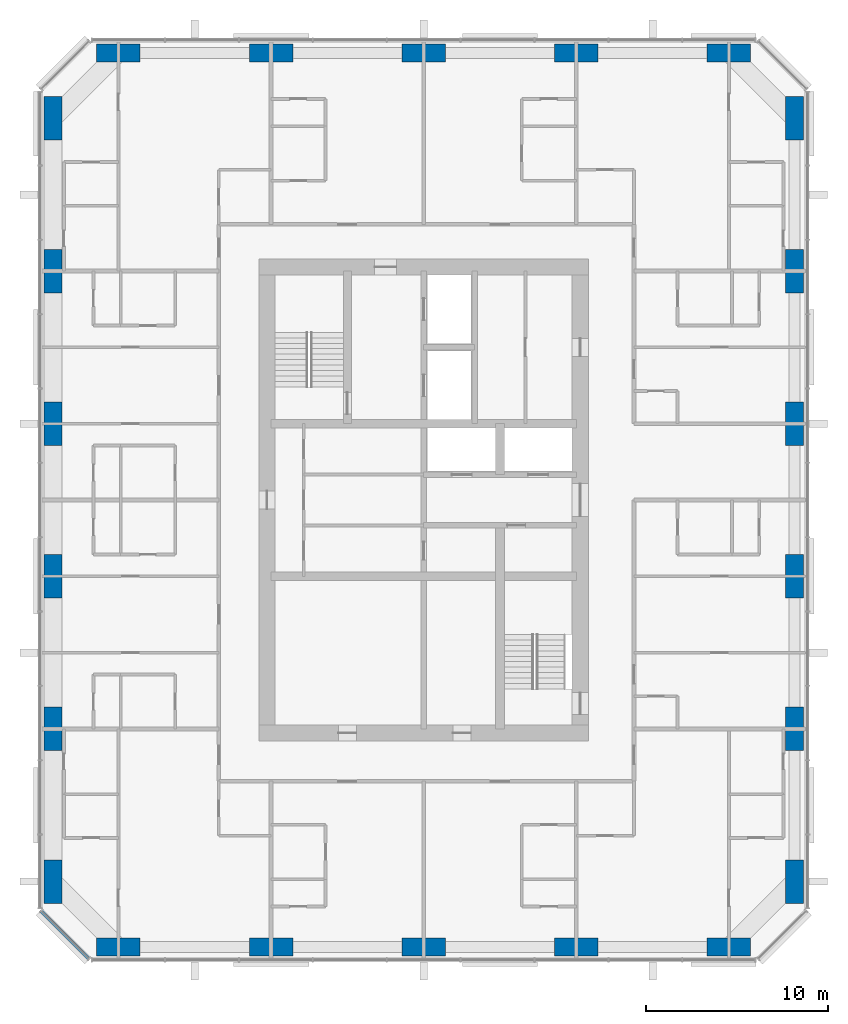
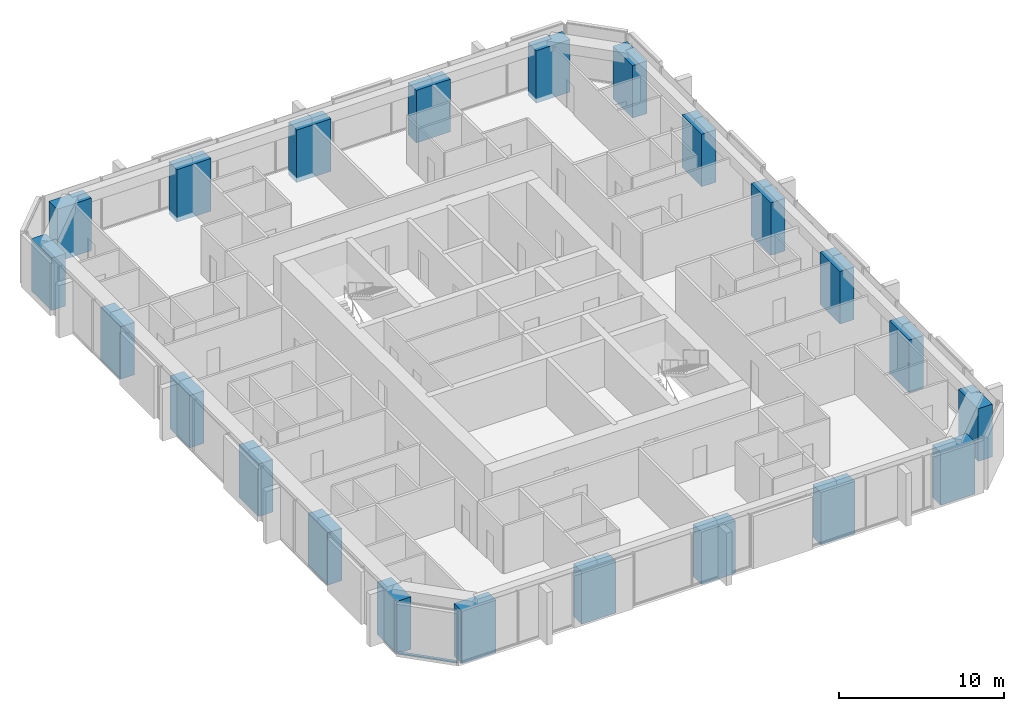
# One storey, part 1 of 12: 22 columns, 1 member, 1 element without a shape of its own.
"""IFC4 building model written with IfcOpenShell, lengths in metres."""

from ifc_helpers import new_model, si_unit, direction, frame, origin, origin_2d, place, context, subcontext, project, spatial, rectangle, extrude, material, material_profile, profile_set, type_object, element, aggregate, save


model = new_model("IFC4")

# Units and contexts
model_context = context("Model", 3, precision=1e-05, world=origin(), true_north=direction((0.0, 1.0)))
body_context = subcontext(model_context, "Body", "Model", "MODEL_VIEW")
ifc_project = project(units=[si_unit("LENGTHUNIT", "METRE"), si_unit("AREAUNIT", "SQUARE_METRE"), si_unit("VOLUMEUNIT", "CUBIC_METRE"), si_unit("PLANEANGLEUNIT", "RADIAN"), si_unit("MASSUNIT", "GRAM", prefix="KILO")], contexts=[model_context])

# Site, building, storey
site_placement = place(None, origin())
site = spatial("IfcSite", under=ifc_project, at=site_placement, CompositionType="ELEMENT")
building_placement = place(site_placement, origin())
building = spatial("IfcBuilding", under=site, at=building_placement, Name="Dunama Terrace Hotel", CompositionType="ELEMENT")
storey_placement = place(building_placement, frame((0.0, 0.0, 237.300048828125)))
storey = spatial("IfcBuildingStorey", under=building, at=storey_placement, Name="L61", CompositionType="ELEMENT", Elevation=237.300048828125)

# Columns
ifc_material_1 = material(Name="Concrete C50/60", Category="concrete")
ifc_material_profile_1 = material_profile(ifc_material_1, rectangle(XDim=1.0, YDim=2.39990234375, at=origin_2d()), Name="RC 1000x2400")
ifc_profile_set_1 = profile_set([ifc_material_profile_1], Name="Concrete C50/60")
column_type_1 = type_object("IfcColumnType", Name="Column RC 1000x2400", PredefinedType="COLUMN", material=ifc_profile_set_1)
for number, where, z_axis, x_axis, name in (
    (1, (13.199951171875, 8.39990234375, -0.35009765625), (0.0, 0.0, 1.0), (1.0, 0.0, 0.0), "Column L61 +13.2/+8.4"),
    (2, (13.199951171875, 16.800048828125, -0.35009765625), (0.0, 0.0, 1.0), (1.0, 0.0, 0.0), "Column L61 +13.2/+16.8"),
    (3, (13.199951171875, 25.199951171875, -0.35009765625), (0.0, 0.0, 1.0), (1.0, 0.0, 0.0), "Column L61 +13.2/+25.2"),
    (4, (13.199951171875, 33.60009765625, -0.35009765625), (0.0, 0.0, 1.0), (1.0, 0.0, 0.0), "Column L61 +13.2/+33.6"),
    (5, (13.199951171875, 42.0, -0.35009765625), (0.0, 0.0, 1.0), (1.0, 0.0, 0.0), "Column L61 +13.2/+42.0"),
    (6, (13.199951171875, 50.39990234375, -0.35009765625), (0.0, 0.0, 1.0), (1.0, 0.0, 0.0), "Column L61 +13.2/+50.4"),
    (7, (54.0, 8.39990234375, -0.35009765625), (0.0, 0.0, 1.0), (1.0, 0.0, 0.0), "Column L61 +54.0/+8.4"),
    (8, (54.0, 16.800048828125, -0.35009765625), (0.0, 0.0, 1.0), (1.0, 0.0, 0.0), "Column L61 +54.0/+16.8"),
    (9, (54.0, 25.199951171875, -0.35009765625), (0.0, 0.0, 1.0), (1.0, 0.0, 0.0), "Column L61 +54.0/+25.2"),
    (10, (54.0, 33.60009765625, -0.35009765625), (0.0, 0.0, 1.0), (1.0, 0.0, 0.0), "Column L61 +54.0/+33.6"),
    (11, (54.0, 42.0, -0.35009765625), (0.0, 0.0, 1.0), (1.0, 0.0, 0.0), "Column L61 +54.0/+42.0"),
    (12, (54.0, 50.39990234375, -0.35009765625), (0.0, 0.0, 1.0), (1.0, 0.0, 0.0), "Column L61 +54.0/+50.4"),
):
    element("IfcColumn", number, at=place(storey_placement, frame(where, z_axis=z_axis, x_axis=x_axis)), inside=storey, type_object=column_type_1, Name=name, PredefinedType="COLUMN", context=body_context, shape_type="SweptSolid", body=[
        extrude(rectangle(XDim=1.0, YDim=2.39990234375, at=origin_2d()), origin(), (0.0, 0.0, 1.0), 3.900146484375),
    ])
ifc_material_2 = material(Name="Concrete C50/60", Category="concrete")
ifc_material_profile_2 = material_profile(ifc_material_2, rectangle(XDim=2.39990234375, YDim=1.0, at=origin_2d()), Name="RC 2400x1000")
ifc_profile_set_2 = profile_set([ifc_material_profile_2], Name="Concrete C50/60")
column_type_2 = type_object("IfcColumnType", Name="Column RC 2400x1000", PredefinedType="COLUMN", material=ifc_profile_set_2)
for number, where, z_axis, x_axis, name in (
    (13, (16.800048828125, 4.800048828125, -0.35009765625), (0.0, 0.0, 1.0), (1.0, 0.0, 0.0), "Column L61 +16.8/+4.8"),
    (14, (16.800048828125, 54.0, -0.35009765625), (0.0, 0.0, 1.0), (1.0, 0.0, 0.0), "Column L61 +16.8/+54.0"),
    (15, (25.199951171875, 4.800048828125, -0.35009765625), (0.0, 0.0, 1.0), (1.0, 0.0, 0.0), "Column L61 +25.2/+4.8"),
    (16, (25.199951171875, 54.0, -0.35009765625), (0.0, 0.0, 1.0), (1.0, 0.0, 0.0), "Column L61 +25.2/+54.0"),
    (17, (33.60009765625, 4.800048828125, -0.35009765625), (0.0, 0.0, 1.0), (1.0, 0.0, 0.0), "Column L61 +33.6/+4.8"),
    (18, (33.60009765625, 54.0, -0.35009765625), (0.0, 0.0, 1.0), (1.0, 0.0, 0.0), "Column L61 +33.6/+54.0"),
    (19, (42.0, 4.800048828125, -0.35009765625), (0.0, 0.0, 1.0), (1.0, 0.0, 0.0), "Column L61 +42.0/+4.8"),
    (20, (42.0, 54.0, -0.35009765625), (0.0, 0.0, 1.0), (1.0, 0.0, 0.0), "Column L61 +42.0/+54.0"),
    (21, (50.39990234375, 4.800048828125, -0.35009765625), (0.0, 0.0, 1.0), (1.0, 0.0, 0.0), "Column L61 +50.4/+4.8"),
    (22, (50.39990234375, 54.0, -0.35009765625), (0.0, 0.0, 1.0), (1.0, 0.0, 0.0), "Column L61 +50.4/+54.0"),
):
    element("IfcColumn", number, at=place(storey_placement, frame(where, z_axis=z_axis, x_axis=x_axis)), inside=storey, type_object=column_type_2, Name=name, PredefinedType="COLUMN", context=body_context, shape_type="SweptSolid", body=[
        extrude(rectangle(XDim=2.39990234375, YDim=1.0, at=origin_2d()), origin(), (0.0, 0.0, 1.0), 3.900146484375),
    ])

# Curtain wall, member
ifc_material_3 = material(Name="Aluminium curtain wall system", Category="aluminium")
curtain_wall_type = type_object("IfcCurtainWallType", Name="Unitised fritted glass wall CW-D", PredefinedType="NOTDEFINED", material=ifc_material_3)
curtain_wall_placement = place(storey_placement, origin())
curtain_wall = element("IfcCurtainWall", 23, at=curtain_wall_placement, inside=storey, type_object=curtain_wall_type, Name="Unitised fritted glass wall CW-D L61", PredefinedType="NOTDEFINED")
ifc_material_4 = material(Name="Aluminium transom", Category="aluminium")
ifc_material_profile_3 = material_profile(ifc_material_4, rectangle(XDim=0.199951171875, YDim=0.0849609375, at=origin_2d()), Name="CWD TRANSOM 200X85")
ifc_profile_set_3 = profile_set([ifc_material_profile_3], Name="Aluminium transom")
member_type = type_object("IfcMemberType", Name="CWD transom 200x85", PredefinedType="USERDEFINED", material=ifc_profile_set_3)
member_placement = place(storey_placement, frame((12.56494140625, 6.76611328125, 0.04248046875), z_axis=(0.707106781187, -0.707106781187, 0.0), x_axis=(0.707106781187, 0.707106781187, 0.0)))
member = element("IfcMember", 24, at=member_placement, type_object=member_type, Name="CWD transom", ObjectType="TRANSOM", PredefinedType="USERDEFINED", context=body_context, shape_type="SweptSolid", body=[
    extrude(rectangle(XDim=0.199951171875, YDim=0.0849609375, at=origin_2d()), origin(), (0.0, 0.0, 1.0), 3.678466796875),
])
aggregate(curtain_wall, [member])

save(model, "model.ifc")
